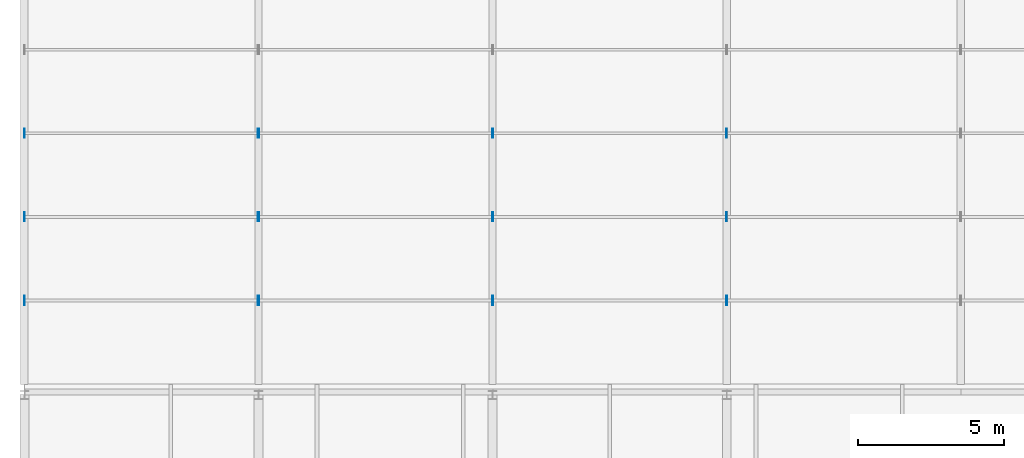
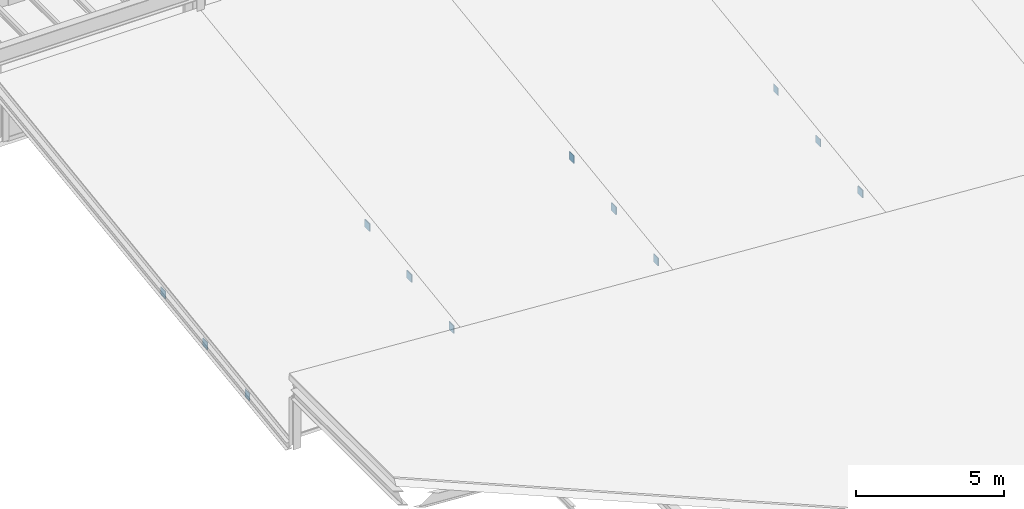
# One storey, part 55 of 77: 19 plates.
"""IFC4 building model written with IfcOpenShell, lengths in metres."""

import ifcopenshell
import ifcopenshell.guid

model = None  # the IFC model being written
_history = None  # IfcOwnerHistory: only IFC2X3 demands one
_inside = {}  # id of a spatial element -> (the spatial element, [elements in it])
_under = {}  # id of a project, library or spatial element -> (it, [spatial elements below it])
_declared = {}  # id of a project -> (the project, [libraries it declares])
_typed = {}  # id of a type object -> (the type object, [elements of that type])
_made_of = {}  # id of a material, layer set ... -> (it, [elements and type objects made of it])


def new_model(schema):
    """Start an empty IFC model of exactly this schema.

    Asked for "IFC4X3", IfcOpenShell would pick the latest addendum, in which some entities
    have other attributes; the version numbers below select the first issue.
    IFC2X3 requires an IfcOwnerHistory on every rooted entity: one is made here for all.
    """
    global model, _history
    if schema == "IFC4X3":
        model = ifcopenshell.file(schema_version=(4, 3, 0, 0))
    else:
        model = ifcopenshell.file(schema=schema)
    _inside.clear()
    _under.clear()
    _declared.clear()
    _typed.clear()
    _made_of.clear()
    _history = None
    if model.schema == "IFC2X3":
        org = make("IfcOrganization", Name="unknown")
        user = make(
            "IfcPersonAndOrganization",
            ThePerson=make("IfcPerson", FamilyName="unknown"),
            TheOrganization=org,
        )
        app = make(
            "IfcApplication",
            ApplicationDeveloper=org,
            Version="unknown",
            ApplicationFullName="unknown",
            ApplicationIdentifier="unknown",
        )
        _history = make(
            "IfcOwnerHistory",
            OwningUser=user,
            OwningApplication=app,
            ChangeAction="ADDED",
            CreationDate=0,
        )
    return model


def make(cls, **values):
    """One entity of the class cls with the attributes given. An attribute that is None is left unset."""
    return model.create_entity(
        cls, **{name: value for name, value in values.items() if value is not None}
    )


def rooted(cls, **values):
    """An entity with a GlobalId (a new one), such as an element, a storey or a relation."""
    return make(cls, GlobalId=ifcopenshell.guid.new(), OwnerHistory=_history, **values)


def si_unit(unit_type, name, prefix=None):
    """IfcSIUnit, for example si_unit("LENGTHUNIT", "METRE", prefix="MILLI")."""
    return make("IfcSIUnit", UnitType=unit_type, Prefix=prefix, Name=name)


def assignment(units):
    """IfcUnitAssignment: the units of a project."""
    return None if units is None else make("IfcUnitAssignment", Units=units)


def point(xyz):
    """IfcCartesianPoint."""
    return None if xyz is None else make("IfcCartesianPoint", Coordinates=xyz)


def direction(xyz):
    """IfcDirection."""
    return None if xyz is None else make("IfcDirection", DirectionRatios=xyz)


def frame(location, z_axis=None, x_axis=None):
    """IfcAxis2Placement3D, a coordinate frame: its origin and axes. An axis left out is left unset."""
    return make(
        "IfcAxis2Placement3D",
        Location=point(location),
        Axis=direction(z_axis),
        RefDirection=direction(x_axis),
    )


def frame_2d(location, x_axis=None):
    """IfcAxis2Placement2D, a coordinate frame in the plane: its origin and x axis."""
    return make(
        "IfcAxis2Placement2D", Location=point(location), RefDirection=direction(x_axis)
    )


def origin():
    """The frame at (0, 0, 0) with its axes left unset."""
    return frame((0.0, 0.0, 0.0))


def origin_2d():
    """The frame at (0, 0) in the plane with its x axis left unset."""
    return frame_2d((0.0, 0.0))


def place(relative_to, where):
    """IfcLocalPlacement: puts the frame where relative to a parent placement (None: the world)."""
    return make(
        "IfcLocalPlacement", PlacementRelTo=relative_to, RelativePlacement=where
    )


def context(
    kind, dimensions, precision=None, world=None, true_north=None, identifier=None
):
    """IfcGeometricRepresentationContext, for example the 3D "Model" context."""
    return make(
        "IfcGeometricRepresentationContext",
        ContextIdentifier=identifier,
        ContextType=kind,
        CoordinateSpaceDimension=dimensions,
        Precision=precision,
        WorldCoordinateSystem=world,
        TrueNorth=true_north,
    )


def subcontext(parent, identifier, kind, view, scale=None):
    """IfcGeometricRepresentationSubContext, for example "Body" below "Model"."""
    return make(
        "IfcGeometricRepresentationSubContext",
        ContextIdentifier=identifier,
        ContextType=kind,
        ParentContext=parent,
        TargetScale=scale,
        TargetView=view,
    )


def project(units=None, contexts=None):
    """IfcProject with its units and contexts."""
    return rooted(
        "IfcProject",
        Name="project",
        RepresentationContexts=contexts,
        UnitsInContext=assignment(units),
    )


def spatial(cls, under=None, at=None, **own):
    """A site, building, storey or space (cls), placed at a placement, below another one or the project."""
    s = rooted(cls, ObjectPlacement=at, **own)
    if under is not None:
        _under.setdefault(under.id(), (under, []))[1].append(s)
    return s


def profile(cls, at=None, kind="AREA", **sizes):
    """A parametric profile (cls). Its sizes go by their IFC names, for example OverallWidth=200.0."""
    return make(cls, ProfileType=kind, Position=at, **sizes)


def rectangle(**sizes):
    """IfcRectangleProfileDef."""
    return profile("IfcRectangleProfileDef", **sizes)


def extrude(swept, where, along, depth):
    """IfcExtrudedAreaSolid: the profile swept, set in the frame where, extruded along a direction by depth."""
    return make(
        "IfcExtrudedAreaSolid",
        SweptArea=swept,
        Position=where,
        ExtrudedDirection=direction(along),
        Depth=depth,
    )


def shape(context_of_items, identifier, shape_type, items):
    """IfcShapeRepresentation: the items that make up one representation, for example the "Body"."""
    return make(
        "IfcShapeRepresentation",
        ContextOfItems=context_of_items,
        RepresentationIdentifier=identifier,
        RepresentationType=shape_type,
        Items=items,
    )


def material(Name=None, Category=None):
    """IfcMaterial."""
    return make("IfcMaterial", Name=Name, Category=Category)


def material_profile(
    of_material, cross_section, Name=None, Category=None, Priority=None
):
    """IfcMaterialProfile: a cross section and its material."""
    return make(
        "IfcMaterialProfile",
        Name=Name,
        Material=of_material,
        Profile=cross_section,
        Priority=Priority,
        Category=Category,
    )


def profile_set(profiles, Name=None, composite=None):
    """IfcMaterialProfileSet."""
    return make(
        "IfcMaterialProfileSet",
        Name=Name,
        MaterialProfiles=profiles,
        CompositeProfile=composite,
    )


def made_of(thing, what):
    """Note that an element or type object is made of a material, layer set ...; save() writes the relation."""
    if what is not None:
        _made_of.setdefault(what.id(), (what, []))[1].append(thing)
    return thing


def type_object(cls, material=None, **own):
    """A type object (cls), such as IfcWallType, which elements share."""
    return made_of(rooted(cls, **own), material)


def element(
    cls,
    number,
    at=None,
    inside=None,
    cuts=None,
    type_object=None,
    material=None,
    context=None,
    identifier="Body",
    shape_type=None,
    held_by="IfcProductDefinitionShape",
    body=None,
    shapes=None,
    **own,
):
    """One element of the class cls, such as IfcWall. Its Tag is "e" and its number.

    at: its placement. inside: the storey or other place that contains it. cuts: it is an
    opening in that element (IfcRelVoidsElement). A single representation is given by context,
    identifier, shape_type and body (its items); several are given by shapes. held_by: the class
    of the entity that holds the representations. save() writes the other relations.
    """
    e = rooted(cls, Tag="e%d" % number, ObjectPlacement=at, **own)
    if body is not None:
        shapes = [shape(context, identifier, shape_type, body)]
    if shapes is not None:
        e.Representation = make(held_by, Representations=shapes)
    if inside is not None:
        _inside.setdefault(inside.id(), (inside, []))[1].append(e)
    if cuts is not None:
        rooted(
            "IfcRelVoidsElement", RelatingBuildingElement=cuts, RelatedOpeningElement=e
        )
    if type_object is not None:
        _typed.setdefault(type_object.id(), (type_object, []))[1].append(e)
    return made_of(e, material)


def aggregate(whole, parts):
    """IfcRelAggregates: a whole, such as a stair, and the parts it consists of."""
    return rooted("IfcRelAggregates", RelatingObject=whole, RelatedObjects=parts)


def save(model, path):
    """Write the relations noted so far, then the file.

    IfcRelAggregates (storeys below a building ...), IfcRelContainedInSpatialStructure (elements
    in a storey), IfcRelDefinesByType, IfcRelAssociatesMaterial and IfcRelDeclares: one each for
    every whole, place, type object, material and project.
    """
    for whole, parts in _under.values():
        aggregate(whole, parts)
    for where, things in _inside.values():
        rooted(
            "IfcRelContainedInSpatialStructure",
            RelatedElements=things,
            RelatingStructure=where,
        )
    for kind, things in _typed.values():
        rooted("IfcRelDefinesByType", RelatedObjects=things, RelatingType=kind)
    for what, things in _made_of.values():
        rooted("IfcRelAssociatesMaterial", RelatedObjects=things, RelatingMaterial=what)
    for by, libraries in _declared.values():
        rooted("IfcRelDeclares", RelatingContext=by, RelatedDefinitions=libraries)
    model.write(path)


model = new_model("IFC4")

# Units and contexts
model_context = context("Model", 3, precision=1e-05, world=origin(), true_north=direction((0.0, 1.0)))
body_context = subcontext(model_context, "Body", "Model", "MODEL_VIEW")
ifc_project = project(units=[si_unit("LENGTHUNIT", "METRE"), si_unit("AREAUNIT", "SQUARE_METRE"), si_unit("VOLUMEUNIT", "CUBIC_METRE"), si_unit("PLANEANGLEUNIT", "RADIAN"), si_unit("MASSUNIT", "GRAM", prefix="KILO"), si_unit("THERMODYNAMICTEMPERATUREUNIT", "KELVIN"), si_unit("POWERUNIT", "WATT")], contexts=[model_context])

# Site, building, storey
site_placement = place(None, origin())
site = spatial("IfcSite", under=ifc_project, at=site_placement, CompositionType="ELEMENT")
building_placement = place(site_placement, origin())
building = spatial("IfcBuilding", under=site, at=building_placement, Name="Zhenchuan Central Fire Station", CompositionType="ELEMENT")
storey_placement = place(building_placement, frame((0.0, 0.0, 10.050048828125)))
storey = spatial("IfcBuildingStorey", under=building, at=storey_placement, Name="L03", CompositionType="ELEMENT", Elevation=10.050048828125)

# Plates
ifc_material = material(Name="Steel Q355B", Category="steel")
ifc_material_profile = material_profile(ifc_material, rectangle(XDim=0.320068359375, YDim=0.320068359375, at=origin_2d()), Name="PL 320x320x20")
ifc_profile_set = profile_set([ifc_material_profile], Name="Steel Q355B")
plate_type = type_object("IfcPlateType", Name="PL-CAP20", PredefinedType="SHEET", material=ifc_profile_set)
for number, where, z_axis, x_axis, name in (
    (1, (-0.0009765625, 25.354248046875, 0.012939453125), (1.0, 0.0, 0.0), (0.0, 1.0, 0.0), "Workshop Sawtooth Purlin 1.1 end cap plate A"),
    (2, (7.98095703125, 25.354248046875, 0.012939453125), (1.0, 0.0, 0.0), (0.0, 1.0, 0.0), "Workshop Sawtooth Purlin 1.1 end cap plate B"),
    (3, (-0.0009765625, 28.20849609375, 0.395751953125), (1.0, 0.0, 0.0), (0.0, 1.0, 0.0), "Workshop Sawtooth Purlin 1.2 end cap plate A"),
    (4, (7.98095703125, 28.20849609375, 0.395751953125), (1.0, 0.0, 0.0), (0.0, 1.0, 0.0), "Workshop Sawtooth Purlin 1.2 end cap plate B"),
    (5, (-0.0009765625, 31.06298828125, 0.778564453125), (1.0, 0.0, 0.0), (0.0, 1.0, 0.0), "Workshop Sawtooth Purlin 1.3 end cap plate A"),
    (6, (7.98095703125, 31.06298828125, 0.778564453125), (1.0, 0.0, 0.0), (0.0, 1.0, 0.0), "Workshop Sawtooth Purlin 1.3 end cap plate B"),
    (7, (7.9990234375, 25.354248046875, 0.012939453125), (1.0, 0.0, 0.0), (0.0, 1.0, 0.0), "Workshop Sawtooth Purlin 2.1 end cap plate A"),
    (8, (15.98095703125, 25.354248046875, 0.012939453125), (1.0, 0.0, 0.0), (0.0, 1.0, 0.0), "Workshop Sawtooth Purlin 2.1 end cap plate B"),
    (9, (7.9990234375, 28.20849609375, 0.395751953125), (1.0, 0.0, 0.0), (0.0, 1.0, 0.0), "Workshop Sawtooth Purlin 2.2 end cap plate A"),
    (10, (15.98095703125, 28.20849609375, 0.395751953125), (1.0, 0.0, 0.0), (0.0, 1.0, 0.0), "Workshop Sawtooth Purlin 2.2 end cap plate B"),
    (11, (7.9990234375, 31.06298828125, 0.778564453125), (1.0, 0.0, 0.0), (0.0, 1.0, 0.0), "Workshop Sawtooth Purlin 2.3 end cap plate A"),
    (12, (15.98095703125, 31.06298828125, 0.778564453125), (1.0, 0.0, 0.0), (0.0, 1.0, 0.0), "Workshop Sawtooth Purlin 2.3 end cap plate B"),
    (13, (15.9990234375, 25.354248046875, 0.012939453125), (1.0, 0.0, 0.0), (0.0, 1.0, 0.0), "Workshop Sawtooth Purlin 3.1 end cap plate A"),
    (14, (23.98095703125, 25.354248046875, 0.012939453125), (1.0, 0.0, 0.0), (0.0, 1.0, 0.0), "Workshop Sawtooth Purlin 3.1 end cap plate B"),
    (15, (15.9990234375, 28.20849609375, 0.395751953125), (1.0, 0.0, 0.0), (0.0, 1.0, 0.0), "Workshop Sawtooth Purlin 3.2 end cap plate A"),
    (16, (23.98095703125, 28.20849609375, 0.395751953125), (1.0, 0.0, 0.0), (0.0, 1.0, 0.0), "Workshop Sawtooth Purlin 3.2 end cap plate B"),
    (17, (15.9990234375, 31.06298828125, 0.778564453125), (1.0, 0.0, 0.0), (0.0, 1.0, 0.0), "Workshop Sawtooth Purlin 3.3 end cap plate A"),
    (18, (23.98095703125, 31.06298828125, 0.778564453125), (1.0, 0.0, 0.0), (0.0, 1.0, 0.0), "Workshop Sawtooth Purlin 3.3 end cap plate B"),
    (19, (23.9990234375, 25.354248046875, 0.012939453125), (1.0, 0.0, 0.0), (0.0, 1.0, 0.0), "Workshop Sawtooth Purlin 4.1 end cap plate A"),
):
    element("IfcPlate", number, at=place(storey_placement, frame(where, z_axis=z_axis, x_axis=x_axis)), inside=storey, type_object=plate_type, Name=name, PredefinedType="SHEET", context=body_context, shape_type="SweptSolid", body=[
        extrude(rectangle(XDim=0.320068359375, YDim=0.320068359375, at=origin_2d()), origin(), (0.0, 0.0, 1.0), 0.02001953125),
    ])

save(model, "model.ifc")
